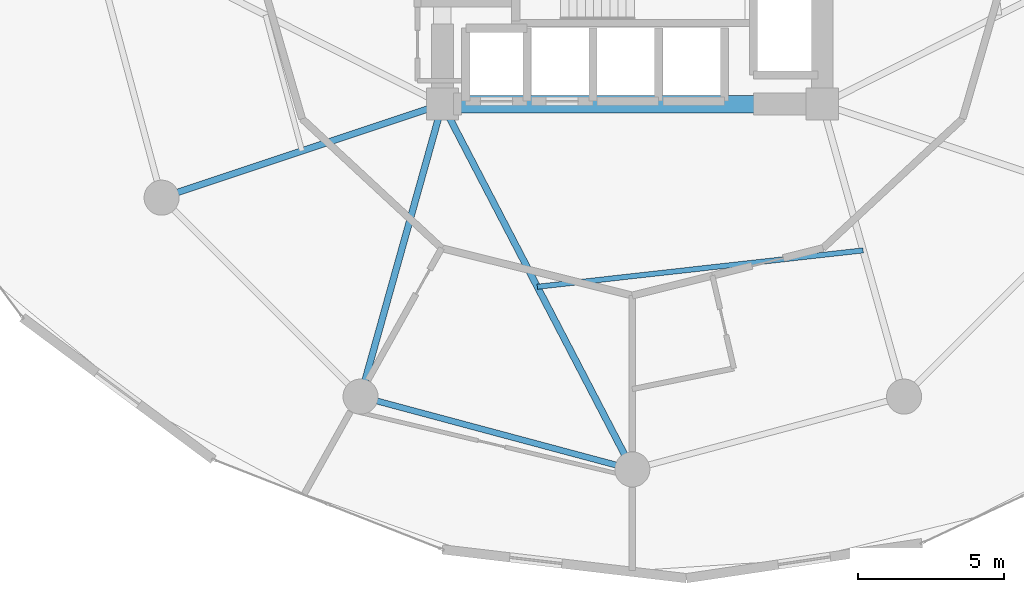
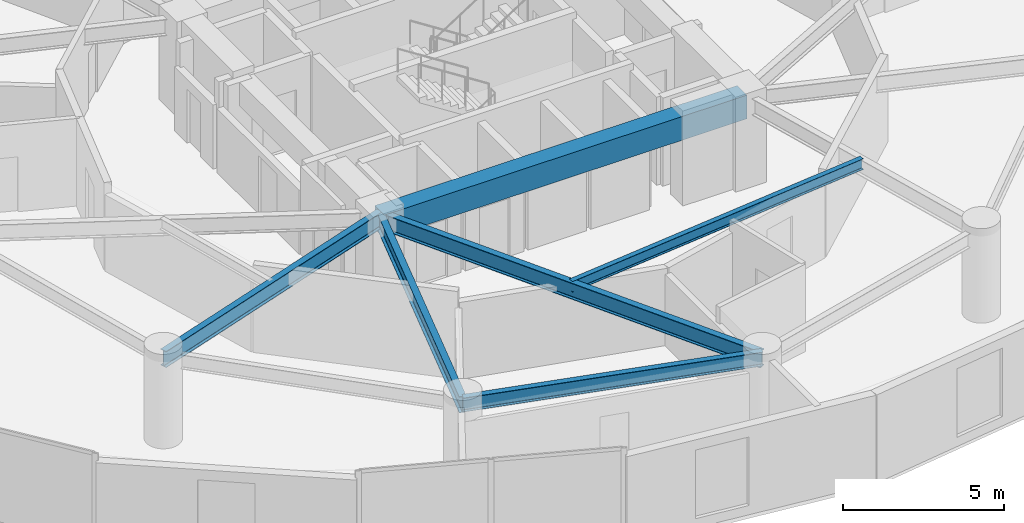
# One storey, part 5 of 25: 6 beams.
"""IFC4 building model written with IfcOpenShell, lengths in metres."""

from ifc_helpers import new_model, si_unit, direction, frame, origin, origin_2d, place, context, subcontext, project, spatial, rectangle, i_section, extrude, material, material_profile, profile_set, type_object, element, save


model = new_model("IFC4")

# Units and contexts
model_context = context("Model", 3, precision=1e-05, world=origin(), true_north=direction((0.0, 1.0)))
body_context = subcontext(model_context, "Body", "Model", "MODEL_VIEW")
ifc_project = project(units=[si_unit("LENGTHUNIT", "METRE"), si_unit("AREAUNIT", "SQUARE_METRE"), si_unit("VOLUMEUNIT", "CUBIC_METRE"), si_unit("PLANEANGLEUNIT", "RADIAN"), si_unit("MASSUNIT", "GRAM", prefix="KILO")], contexts=[model_context])

# Site, building, storey
site_placement = place(None, origin())
site = spatial("IfcSite", under=ifc_project, at=site_placement, CompositionType="ELEMENT")
building_placement = place(site_placement, origin())
building = spatial("IfcBuilding", under=site, at=building_placement, Name="Solvirekh Grand Hotel", CompositionType="ELEMENT")
storey_placement = place(building_placement, frame((0.0, 0.0, 57.199951171875)))
storey = spatial("IfcBuildingStorey", under=building, at=storey_placement, Name="L13", CompositionType="ELEMENT", Elevation=57.199951171875)

# Beams
ifc_material_1 = material(Name="Concrete C50/60", Category="concrete")
ifc_material_profile_1 = material_profile(ifc_material_1, rectangle(XDim=0.60009765625, YDim=0.89990234375, at=origin_2d()), Name="RC BEAM 600X900")
ifc_profile_set_1 = profile_set([ifc_material_profile_1], Name="Concrete C50/60")
beam_type_1 = type_object("IfcBeamType", Name="Beam_Core_RC900", PredefinedType="BEAM", material=ifc_profile_set_1)
beam_1_placement = place(storey_placement, frame((-6.5, -6.10009765625, 2.89013671875), z_axis=(1.0, 0.0, 0.0), x_axis=(0.0, 1.0, 0.0)))
element("IfcBeam", 1, at=beam_1_placement, inside=storey, type_object=beam_type_1, Name="L13 core coupling ring beam 1", PredefinedType="BEAM", context=body_context, shape_type="SweptSolid", body=[
    extrude(rectangle(XDim=0.60009765625, YDim=0.89990234375, at=origin_2d()), origin(), (0.0, 0.0, 1.0), 13.0),
])
ifc_material_2 = material(Name="Steel S355", Category="steel")
ifc_material_profile_2 = material_profile(ifc_material_2, i_section(OverallWidth=0.22802734375, OverallDepth=0.616943359375, WebThickness=0.012939453125, FlangeThickness=0.02001953125, FilletRadius=0.014892578125, at=origin_2d()), Name="W610X140")
ifc_profile_set_2 = profile_set([ifc_material_profile_2], Name="Steel S355")
beam_type_2 = type_object("IfcBeamType", Name="Beam_Radial_W610", PredefinedType="BEAM", material=ifc_profile_set_2)
beam_2_placement = place(storey_placement, frame((-6.5, -6.10009765625, 3.031005859375), z_axis=(-0.948762825819, -0.315989082635, 0.0), x_axis=(0.315989082635, -0.948762825819, 0.0)))
element("IfcBeam", 2, at=beam_2_placement, inside=storey, type_object=beam_type_2, Name="L13 radial floor beam R08", PredefinedType="BEAM", context=body_context, shape_type="SweptSolid", body=[
    extrude(i_section(OverallWidth=0.22802734375, OverallDepth=0.616943359375, WebThickness=0.012939453125, FlangeThickness=0.02001953125, FilletRadius=0.014892578125, at=origin_2d()), origin(), (0.0, 0.0, 1.0), 10.126708984375),
])
beam_3_placement = place(storey_placement, frame((-6.5, -6.10009765625, 3.031005859375), z_axis=(-0.269439084681, -0.963017434757, 0.0), x_axis=(0.963017434757, -0.269439084681, 0.0)))
element("IfcBeam", 3, at=beam_3_placement, inside=storey, type_object=beam_type_2, Name="L13 radial floor beam R09", PredefinedType="BEAM", context=body_context, shape_type="SweptSolid", body=[
    extrude(i_section(OverallWidth=0.22802734375, OverallDepth=0.616943359375, WebThickness=0.012939453125, FlangeThickness=0.02001953125, FilletRadius=0.014892578125, at=origin_2d()), origin(), (0.0, 0.0, 1.0), 10.39208984375),
])
beam_4_placement = place(storey_placement, frame((-6.5, -6.10009765625, 3.031005859375), z_axis=(0.461352736642, -0.887216801235, 0.0), x_axis=(0.887216801235, 0.461352736642, 0.0)))
element("IfcBeam", 4, at=beam_4_placement, inside=storey, type_object=beam_type_2, Name="L13 radial floor beam R10", PredefinedType="BEAM", context=body_context, shape_type="SweptSolid", body=[
    extrude(i_section(OverallWidth=0.22802734375, OverallDepth=0.616943359375, WebThickness=0.012939453125, FlangeThickness=0.02001953125, FilletRadius=0.014892578125, at=origin_2d()), origin(), (0.0, 0.0, 1.0), 14.089111328125),
])
ifc_material_profile_3 = material_profile(ifc_material_2, i_section(OverallWidth=0.177978515625, OverallDepth=0.406982421875, WebThickness=0.008056640625, FlangeThickness=0.011962890625, FilletRadius=0.011962890625, at=origin_2d()), Name="W410X60")
ifc_profile_set_3 = profile_set([ifc_material_profile_3], Name="Steel S355")
beam_type_3 = type_object("IfcBeamType", Name="Joist_Floor_W410", PredefinedType="JOIST", material=ifc_profile_set_3)
beam_5_placement = place(storey_placement, frame((-3.25, -12.35009765625, 3.136962890625), z_axis=(0.99381294191, 0.111066810937, 0.0), x_axis=(-0.111066810937, 0.99381294191, 0.0)))
element("IfcBeam", 5, at=beam_5_placement, inside=storey, type_object=beam_type_3, Name="L13 secondary composite floor joist 10", PredefinedType="JOIST", context=body_context, shape_type="SweptSolid", body=[
    extrude(i_section(OverallWidth=0.177978515625, OverallDepth=0.406982421875, WebThickness=0.008056640625, FlangeThickness=0.011962890625, FilletRadius=0.011962890625, at=origin_2d()), origin(), (0.0, 0.0, 1.0), 11.21923828125),
])
ifc_material_profile_4 = material_profile(ifc_material_2, i_section(OverallWidth=0.208984375, OverallDepth=0.532958984375, WebThickness=0.010009765625, FlangeThickness=0.014892578125, FilletRadius=0.013916015625, at=origin_2d()), Name="W530X92")
ifc_profile_set_4 = profile_set([ifc_material_profile_4], Name="Steel S355")
beam_type_4 = type_object("IfcBeamType", Name="Spandrel_Ring_W530", PredefinedType="SPANDREL", material=ifc_profile_set_4)
beam_6_placement = place(storey_placement, frame((-9.300048828125, -16.10791015625, 3.072998046875), z_axis=(0.965919414426, -0.258842973314, 0.0), x_axis=(0.258842973314, 0.965919414426, 0.0)))
element("IfcBeam", 6, at=beam_6_placement, inside=storey, type_object=beam_type_4, Name="L13 perimeter spandrel beam 9", PredefinedType="SPANDREL", context=body_context, shape_type="SweptSolid", body=[
    extrude(i_section(OverallWidth=0.208984375, OverallDepth=0.532958984375, WebThickness=0.010009765625, FlangeThickness=0.014892578125, FilletRadius=0.013916015625, at=origin_2d()), origin(), (0.0, 0.0, 1.0), 9.628173828125),
])

save(model, "model.ifc")
